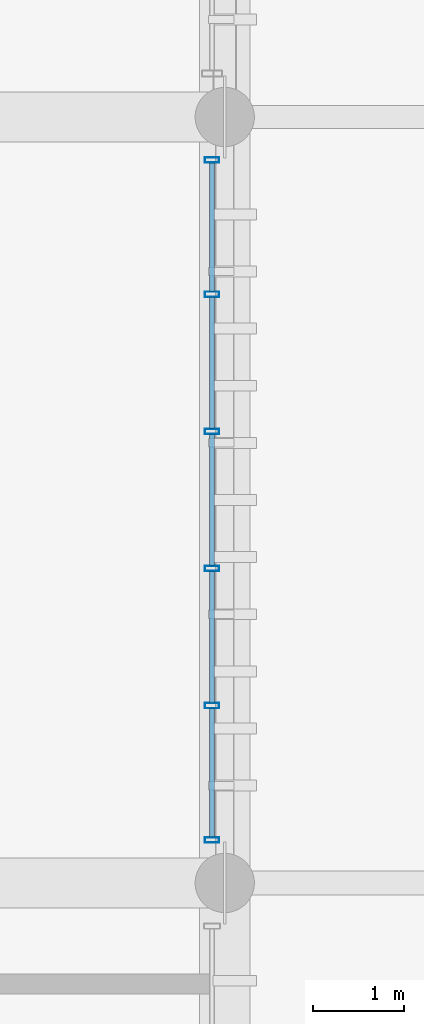
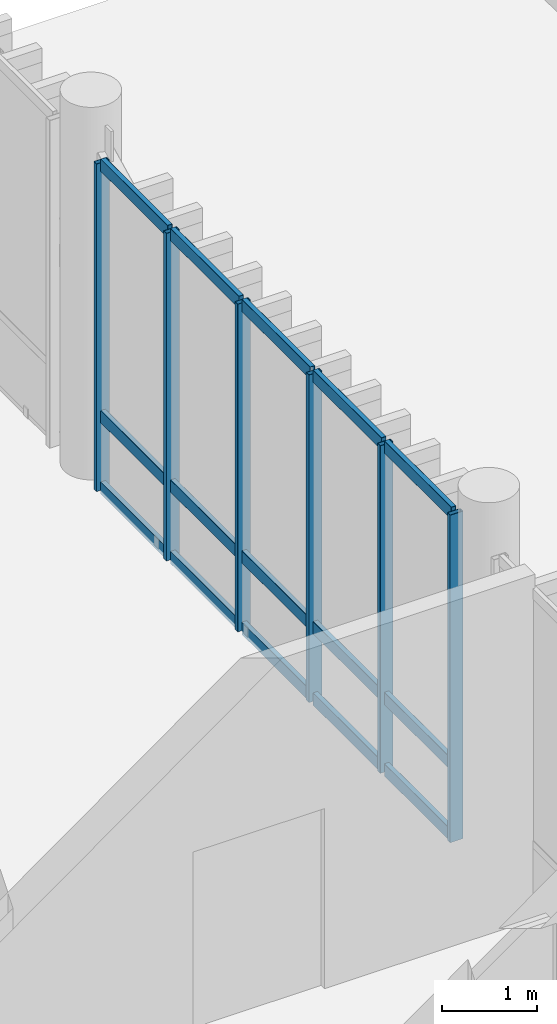
# One storey, part 25 of 81: 21 members, 1 element without a shape of its own.
"""IFC4 building model written with IfcOpenShell, lengths in metres."""

from ifc_helpers import new_model, si_unit, direction, frame, origin_with_axes, origin_2d_with_axis, place, context, subcontext, project, spatial, hollow_rectangle, extrude, material, material_profile, profile_set, type_object, element, aggregate, save


model = new_model("IFC4")

# Units and contexts
model_context = context("Model", 3, precision=1e-05, world=origin_with_axes(), true_north=direction((0.0, 1.0)))
body_context = subcontext(model_context, "Body", "Model", "MODEL_VIEW")
ifc_project = project(units=[si_unit("LENGTHUNIT", "METRE"), si_unit("AREAUNIT", "SQUARE_METRE"), si_unit("VOLUMEUNIT", "CUBIC_METRE"), si_unit("PLANEANGLEUNIT", "RADIAN"), si_unit("MASSUNIT", "GRAM", prefix="KILO"), si_unit("THERMODYNAMICTEMPERATUREUNIT", "KELVIN")], contexts=[model_context])

# Site, building, storey
site_placement = place(None, origin_with_axes())
site = spatial("IfcSite", under=ifc_project, at=site_placement, CompositionType="ELEMENT")
building_placement = place(site_placement, origin_with_axes())
building = spatial("IfcBuilding", under=site, at=building_placement, Name="Montbau Bow Law Courts", CompositionType="ELEMENT")
storey_placement = place(building_placement, frame((0.0, 0.0, 24.9), z_axis=(0.0, 0.0, 1.0), x_axis=(1.0, 0.0, 0.0)))
storey = spatial("IfcBuildingStorey", under=building, at=storey_placement, Name="L05", CompositionType="ELEMENT", Elevation=24.9)

# Curtain wall, members
ifc_material = material(Name="Thermally Broken Extruded Aluminium AA 6063-T6", Category="aluminium")
curtain_wall_type = type_object("IfcCurtainWallType", Name="CW-TRC-02", PredefinedType="NOTDEFINED", material=ifc_material)
curtain_wall_placement = place(None, frame((46.66, 46.64, 24.9), z_axis=(0.0, 0.0, 1.0), x_axis=(1.0, 0.0, 0.0)))
curtain_wall = element("IfcCurtainWall", 1, at=curtain_wall_placement, inside=storey, type_object=curtain_wall_type, Name="CW-L05-092:cw_0092", PredefinedType="NOTDEFINED")
ifc_material_profile_1 = material_profile(ifc_material, hollow_rectangle(XDim=0.06, YDim=0.16, WallThickness=0.004, InnerFilletRadius=0.008, OuterFilletRadius=0.004, at=origin_2d_with_axis()), Name="CWM-160X60", Category="Main", Priority=0)
ifc_profile_set_1 = profile_set([ifc_material_profile_1], Name="Thermally Broken Extruded Aluminium AA 6063-T6")
member_type_1 = type_object("IfcMemberType", Name="M-MUL-03", PredefinedType="MULLION", material=ifc_profile_set_1)
member_1_placement = place(None, frame((46.66, 46.67, 24.9), z_axis=(0.0, 0.0, 1.0), x_axis=(0.0, 1.0, 0.0)))
member_1 = element("IfcMember", 2, at=member_1_placement, type_object=member_type_1, Name="CW-L05-092-M01:cw_0092_M01", PredefinedType="MULLION", context=body_context, shape_type="SweptSolid", body=[
    extrude(hollow_rectangle(XDim=0.06, YDim=0.16, WallThickness=0.004, InnerFilletRadius=0.008, OuterFilletRadius=0.004, at=origin_2d_with_axis()), origin_with_axes(), (0.0, 0.0, 1.0), 4.22),
])
member_2_placement = place(None, frame((46.66, 48.144, 24.9), z_axis=(0.0, 0.0, 1.0), x_axis=(0.0, 1.0, 0.0)))
member_2 = element("IfcMember", 3, at=member_2_placement, type_object=member_type_1, Name="CW-L05-092-M02:cw_0092_M02", PredefinedType="MULLION", context=body_context, shape_type="SweptSolid", body=[
    extrude(hollow_rectangle(XDim=0.06, YDim=0.16, WallThickness=0.004, InnerFilletRadius=0.008, OuterFilletRadius=0.004, at=origin_2d_with_axis()), origin_with_axes(), (0.0, 0.0, 1.0), 4.22),
])
member_3_placement = place(None, frame((46.66, 49.648, 24.9), z_axis=(0.0, 0.0, 1.0), x_axis=(0.0, 1.0, 0.0)))
member_3 = element("IfcMember", 4, at=member_3_placement, type_object=member_type_1, Name="CW-L05-092-M03:cw_0092_M03", PredefinedType="MULLION", context=body_context, shape_type="SweptSolid", body=[
    extrude(hollow_rectangle(XDim=0.06, YDim=0.16, WallThickness=0.004, InnerFilletRadius=0.008, OuterFilletRadius=0.004, at=origin_2d_with_axis()), origin_with_axes(), (0.0, 0.0, 1.0), 4.22),
])
member_4_placement = place(None, frame((46.66, 51.152, 24.9), z_axis=(0.0, 0.0, 1.0), x_axis=(0.0, 1.0, 0.0)))
member_4 = element("IfcMember", 5, at=member_4_placement, type_object=member_type_1, Name="CW-L05-092-M04:cw_0092_M04", PredefinedType="MULLION", context=body_context, shape_type="SweptSolid", body=[
    extrude(hollow_rectangle(XDim=0.06, YDim=0.16, WallThickness=0.004, InnerFilletRadius=0.008, OuterFilletRadius=0.004, at=origin_2d_with_axis()), origin_with_axes(), (0.0, 0.0, 1.0), 4.22),
])
member_5_placement = place(None, frame((46.66, 52.656, 24.9), z_axis=(0.0, 0.0, 1.0), x_axis=(0.0, 1.0, 0.0)))
member_5 = element("IfcMember", 6, at=member_5_placement, type_object=member_type_1, Name="CW-L05-092-M05:cw_0092_M05", PredefinedType="MULLION", context=body_context, shape_type="SweptSolid", body=[
    extrude(hollow_rectangle(XDim=0.06, YDim=0.16, WallThickness=0.004, InnerFilletRadius=0.008, OuterFilletRadius=0.004, at=origin_2d_with_axis()), origin_with_axes(), (0.0, 0.0, 1.0), 4.22),
])
member_6_placement = place(None, frame((46.66, 54.13, 24.9), z_axis=(0.0, 0.0, 1.0), x_axis=(0.0, 1.0, 0.0)))
member_6 = element("IfcMember", 7, at=member_6_placement, type_object=member_type_1, Name="CW-L05-092-M06:cw_0092_M06", PredefinedType="MULLION", context=body_context, shape_type="SweptSolid", body=[
    extrude(hollow_rectangle(XDim=0.06, YDim=0.16, WallThickness=0.004, InnerFilletRadius=0.008, OuterFilletRadius=0.004, at=origin_2d_with_axis()), origin_with_axes(), (0.0, 0.0, 1.0), 4.22),
])
ifc_material_profile_2 = material_profile(ifc_material, hollow_rectangle(XDim=0.06, YDim=0.16, WallThickness=0.004, InnerFilletRadius=0.008, OuterFilletRadius=0.004, at=origin_2d_with_axis()), Name="CWT-160X60", Category="Main", Priority=0)
ifc_profile_set_2 = profile_set([ifc_material_profile_2], Name="Thermally Broken Extruded Aluminium AA 6063-T6")
member_type_2 = type_object("IfcMemberType", Name="M-TRN-01", PredefinedType="USERDEFINED", material=ifc_profile_set_2)
member_7_placement = place(None, frame((46.66, 46.702, 24.93), z_axis=(0.0, 1.0, 0.0), x_axis=(-1.0, 0.0, 0.0)))
member_7 = element("IfcMember", 8, at=member_7_placement, type_object=member_type_2, Name="CW-L05-092-T01-1:cw_0092_T01_1", ObjectType="TRANSOM", PredefinedType="USERDEFINED", context=body_context, shape_type="SweptSolid", body=[
    extrude(hollow_rectangle(XDim=0.06, YDim=0.16, WallThickness=0.004, InnerFilletRadius=0.008, OuterFilletRadius=0.004, at=origin_2d_with_axis()), origin_with_axes(), (0.0, 0.0, 1.0), 1.41),
])
member_8_placement = place(None, frame((46.66, 46.702, 25.85), z_axis=(0.0, 1.0, 0.0), x_axis=(-1.0, 0.0, 0.0)))
member_8 = element("IfcMember", 9, at=member_8_placement, type_object=member_type_2, Name="CW-L05-092-T01-2:cw_0092_T01_2", ObjectType="TRANSOM", PredefinedType="USERDEFINED", context=body_context, shape_type="SweptSolid", body=[
    extrude(hollow_rectangle(XDim=0.06, YDim=0.16, WallThickness=0.004, InnerFilletRadius=0.008, OuterFilletRadius=0.004, at=origin_2d_with_axis()), origin_with_axes(), (0.0, 0.0, 1.0), 1.41),
])
member_9_placement = place(None, frame((46.66, 46.702, 29.09), z_axis=(0.0, 1.0, 0.0), x_axis=(-1.0, 0.0, 0.0)))
member_9 = element("IfcMember", 10, at=member_9_placement, type_object=member_type_2, Name="CW-L05-092-T01-3:cw_0092_T01_3", ObjectType="TRANSOM", PredefinedType="USERDEFINED", context=body_context, shape_type="SweptSolid", body=[
    extrude(hollow_rectangle(XDim=0.06, YDim=0.16, WallThickness=0.004, InnerFilletRadius=0.008, OuterFilletRadius=0.004, at=origin_2d_with_axis()), origin_with_axes(), (0.0, 0.0, 1.0), 1.41),
])
member_10_placement = place(None, frame((46.66, 48.176, 24.93), z_axis=(0.0, 1.0, 0.0), x_axis=(-1.0, 0.0, 0.0)))
member_10 = element("IfcMember", 11, at=member_10_placement, type_object=member_type_2, Name="CW-L05-092-T02-1:cw_0092_T02_1", ObjectType="TRANSOM", PredefinedType="USERDEFINED", context=body_context, shape_type="SweptSolid", body=[
    extrude(hollow_rectangle(XDim=0.06, YDim=0.16, WallThickness=0.004, InnerFilletRadius=0.008, OuterFilletRadius=0.004, at=origin_2d_with_axis()), origin_with_axes(), (0.0, 0.0, 1.0), 1.44),
])
member_11_placement = place(None, frame((46.66, 48.176, 25.85), z_axis=(0.0, 1.0, 0.0), x_axis=(-1.0, 0.0, 0.0)))
member_11 = element("IfcMember", 12, at=member_11_placement, type_object=member_type_2, Name="CW-L05-092-T02-2:cw_0092_T02_2", ObjectType="TRANSOM", PredefinedType="USERDEFINED", context=body_context, shape_type="SweptSolid", body=[
    extrude(hollow_rectangle(XDim=0.06, YDim=0.16, WallThickness=0.004, InnerFilletRadius=0.008, OuterFilletRadius=0.004, at=origin_2d_with_axis()), origin_with_axes(), (0.0, 0.0, 1.0), 1.44),
])
member_12_placement = place(None, frame((46.66, 48.176, 29.09), z_axis=(0.0, 1.0, 0.0), x_axis=(-1.0, 0.0, 0.0)))
member_12 = element("IfcMember", 13, at=member_12_placement, type_object=member_type_2, Name="CW-L05-092-T02-3:cw_0092_T02_3", ObjectType="TRANSOM", PredefinedType="USERDEFINED", context=body_context, shape_type="SweptSolid", body=[
    extrude(hollow_rectangle(XDim=0.06, YDim=0.16, WallThickness=0.004, InnerFilletRadius=0.008, OuterFilletRadius=0.004, at=origin_2d_with_axis()), origin_with_axes(), (0.0, 0.0, 1.0), 1.44),
])
member_13_placement = place(None, frame((46.66, 49.68, 24.93), z_axis=(0.0, 1.0, 0.0), x_axis=(-1.0, 0.0, 0.0)))
member_13 = element("IfcMember", 14, at=member_13_placement, type_object=member_type_2, Name="CW-L05-092-T03-1:cw_0092_T03_1", ObjectType="TRANSOM", PredefinedType="USERDEFINED", context=body_context, shape_type="SweptSolid", body=[
    extrude(hollow_rectangle(XDim=0.06, YDim=0.16, WallThickness=0.004, InnerFilletRadius=0.008, OuterFilletRadius=0.004, at=origin_2d_with_axis()), origin_with_axes(), (0.0, 0.0, 1.0), 1.44),
])
member_14_placement = place(None, frame((46.66, 49.68, 25.85), z_axis=(0.0, 1.0, 0.0), x_axis=(-1.0, 0.0, 0.0)))
member_14 = element("IfcMember", 15, at=member_14_placement, type_object=member_type_2, Name="CW-L05-092-T03-2:cw_0092_T03_2", ObjectType="TRANSOM", PredefinedType="USERDEFINED", context=body_context, shape_type="SweptSolid", body=[
    extrude(hollow_rectangle(XDim=0.06, YDim=0.16, WallThickness=0.004, InnerFilletRadius=0.008, OuterFilletRadius=0.004, at=origin_2d_with_axis()), origin_with_axes(), (0.0, 0.0, 1.0), 1.44),
])
member_15_placement = place(None, frame((46.66, 49.68, 29.09), z_axis=(0.0, 1.0, 0.0), x_axis=(-1.0, 0.0, 0.0)))
member_15 = element("IfcMember", 16, at=member_15_placement, type_object=member_type_2, Name="CW-L05-092-T03-3:cw_0092_T03_3", ObjectType="TRANSOM", PredefinedType="USERDEFINED", context=body_context, shape_type="SweptSolid", body=[
    extrude(hollow_rectangle(XDim=0.06, YDim=0.16, WallThickness=0.004, InnerFilletRadius=0.008, OuterFilletRadius=0.004, at=origin_2d_with_axis()), origin_with_axes(), (0.0, 0.0, 1.0), 1.44),
])
member_16_placement = place(None, frame((46.66, 51.184, 24.93), z_axis=(0.0, 1.0, 0.0), x_axis=(-1.0, 0.0, 0.0)))
member_16 = element("IfcMember", 17, at=member_16_placement, type_object=member_type_2, Name="CW-L05-092-T04-1:cw_0092_T04_1", ObjectType="TRANSOM", PredefinedType="USERDEFINED", context=body_context, shape_type="SweptSolid", body=[
    extrude(hollow_rectangle(XDim=0.06, YDim=0.16, WallThickness=0.004, InnerFilletRadius=0.008, OuterFilletRadius=0.004, at=origin_2d_with_axis()), origin_with_axes(), (0.0, 0.0, 1.0), 1.44),
])
member_17_placement = place(None, frame((46.66, 51.184, 25.85), z_axis=(0.0, 1.0, 0.0), x_axis=(-1.0, 0.0, 0.0)))
member_17 = element("IfcMember", 18, at=member_17_placement, type_object=member_type_2, Name="CW-L05-092-T04-2:cw_0092_T04_2", ObjectType="TRANSOM", PredefinedType="USERDEFINED", context=body_context, shape_type="SweptSolid", body=[
    extrude(hollow_rectangle(XDim=0.06, YDim=0.16, WallThickness=0.004, InnerFilletRadius=0.008, OuterFilletRadius=0.004, at=origin_2d_with_axis()), origin_with_axes(), (0.0, 0.0, 1.0), 1.44),
])
member_18_placement = place(None, frame((46.66, 51.184, 29.09), z_axis=(0.0, 1.0, 0.0), x_axis=(-1.0, 0.0, 0.0)))
member_18 = element("IfcMember", 19, at=member_18_placement, type_object=member_type_2, Name="CW-L05-092-T04-3:cw_0092_T04_3", ObjectType="TRANSOM", PredefinedType="USERDEFINED", context=body_context, shape_type="SweptSolid", body=[
    extrude(hollow_rectangle(XDim=0.06, YDim=0.16, WallThickness=0.004, InnerFilletRadius=0.008, OuterFilletRadius=0.004, at=origin_2d_with_axis()), origin_with_axes(), (0.0, 0.0, 1.0), 1.44),
])
member_19_placement = place(None, frame((46.66, 52.688, 24.93), z_axis=(0.0, 1.0, 0.0), x_axis=(-1.0, 0.0, 0.0)))
member_19 = element("IfcMember", 20, at=member_19_placement, type_object=member_type_2, Name="CW-L05-092-T05-1:cw_0092_T05_1", ObjectType="TRANSOM", PredefinedType="USERDEFINED", context=body_context, shape_type="SweptSolid", body=[
    extrude(hollow_rectangle(XDim=0.06, YDim=0.16, WallThickness=0.004, InnerFilletRadius=0.008, OuterFilletRadius=0.004, at=origin_2d_with_axis()), origin_with_axes(), (0.0, 0.0, 1.0), 1.41),
])
member_20_placement = place(None, frame((46.66, 52.688, 25.85), z_axis=(0.0, 1.0, 0.0), x_axis=(-1.0, 0.0, 0.0)))
member_20 = element("IfcMember", 21, at=member_20_placement, type_object=member_type_2, Name="CW-L05-092-T05-2:cw_0092_T05_2", ObjectType="TRANSOM", PredefinedType="USERDEFINED", context=body_context, shape_type="SweptSolid", body=[
    extrude(hollow_rectangle(XDim=0.06, YDim=0.16, WallThickness=0.004, InnerFilletRadius=0.008, OuterFilletRadius=0.004, at=origin_2d_with_axis()), origin_with_axes(), (0.0, 0.0, 1.0), 1.41),
])
member_21_placement = place(None, frame((46.66, 52.688, 29.09), z_axis=(0.0, 1.0, 0.0), x_axis=(-1.0, 0.0, 0.0)))
member_21 = element("IfcMember", 22, at=member_21_placement, type_object=member_type_2, Name="CW-L05-092-T05-3:cw_0092_T05_3", ObjectType="TRANSOM", PredefinedType="USERDEFINED", context=body_context, shape_type="SweptSolid", body=[
    extrude(hollow_rectangle(XDim=0.06, YDim=0.16, WallThickness=0.004, InnerFilletRadius=0.008, OuterFilletRadius=0.004, at=origin_2d_with_axis()), origin_with_axes(), (0.0, 0.0, 1.0), 1.41),
])
aggregate(curtain_wall, [member_1, member_2, member_3, member_4, member_5, member_6, member_7, member_8, member_9, member_10, member_11, member_12, member_13, member_14, member_15, member_16, member_17, member_18, member_19, member_20, member_21])

save(model, "model.ifc")
